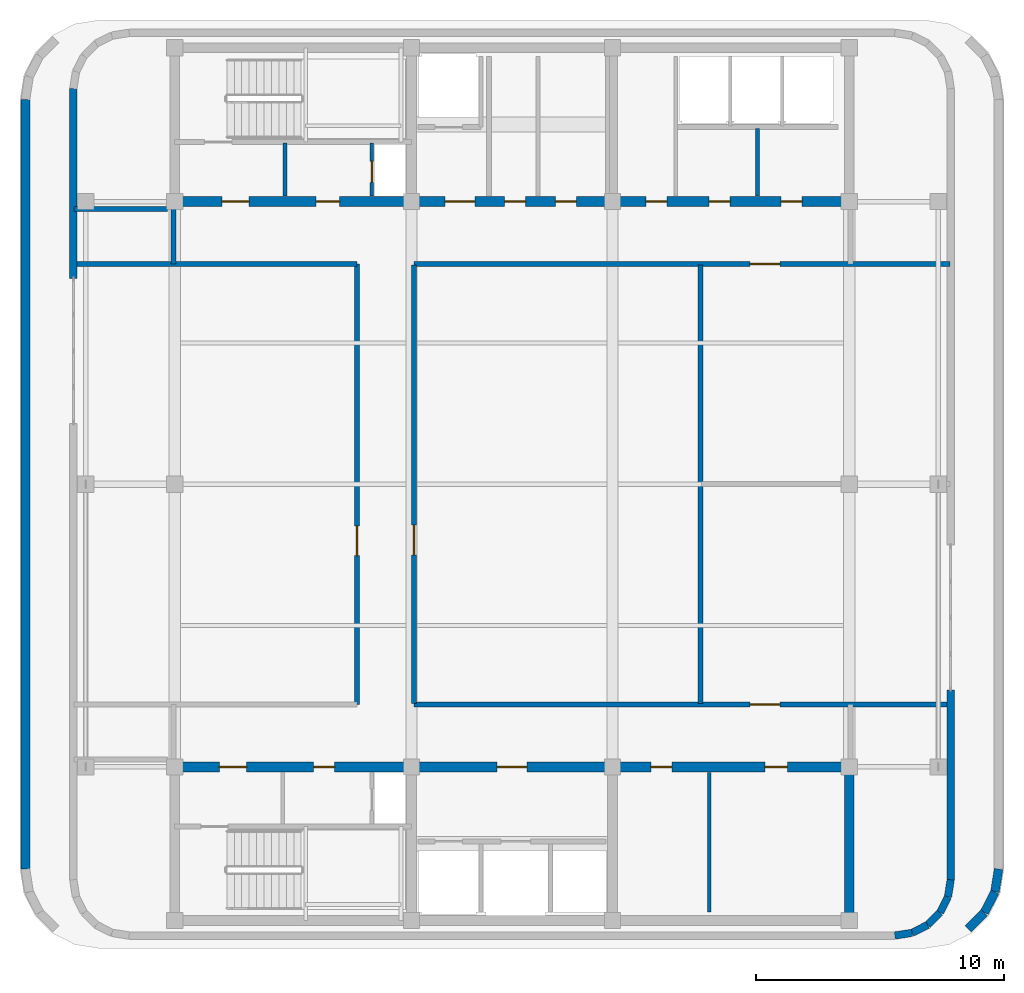
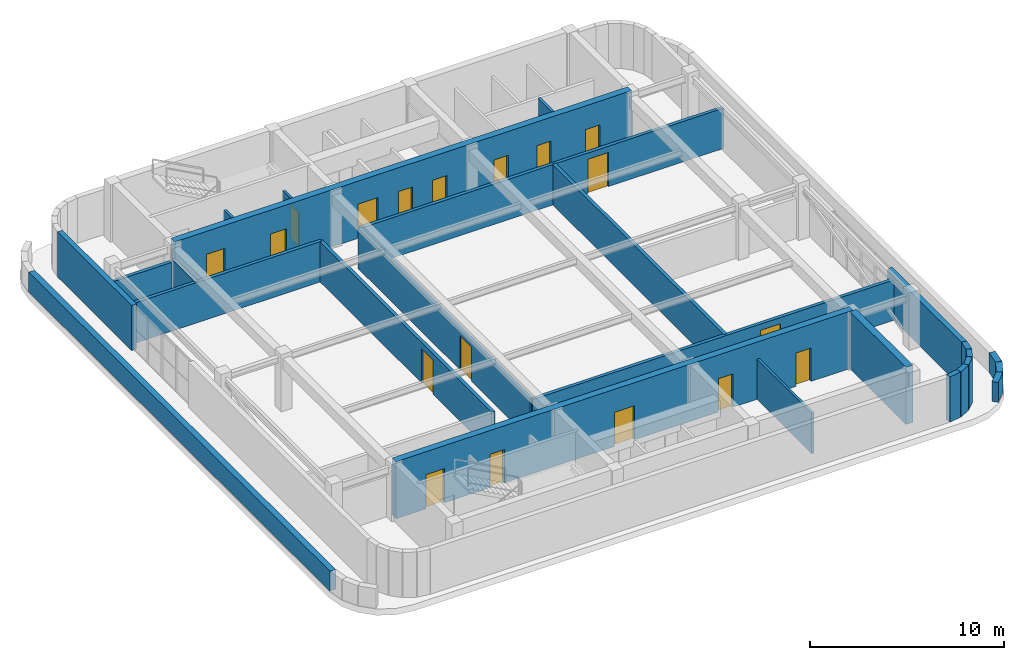
# One storey, part 5 of 9: 26 walls, 18 doors, 18 openings.
"""IFC4 building model written with IfcOpenShell, lengths in metres."""

from ifc_helpers import new_model, si_unit, direction, frame, frame_2d, origin, place, context, subcontext, project, spatial, rectangle, extrude, material, layer, layer_set, type_object, element, fill, save


model = new_model("IFC4")

# Units and contexts
model_context = context("Model", 3, precision=1e-05, world=origin(), true_north=direction((0.0, 1.0)))
body_context = subcontext(model_context, "Body", "Model", "MODEL_VIEW")
ifc_project = project(units=[si_unit("LENGTHUNIT", "METRE"), si_unit("AREAUNIT", "SQUARE_METRE"), si_unit("VOLUMEUNIT", "CUBIC_METRE"), si_unit("PLANEANGLEUNIT", "RADIAN"), si_unit("MASSUNIT", "GRAM", prefix="KILO")], contexts=[model_context])

# Site, building, storey
site_placement = place(None, origin())
site = spatial("IfcSite", under=ifc_project, at=site_placement, CompositionType="ELEMENT")
building_placement = place(site_placement, origin())
building = spatial("IfcBuilding", under=site, at=building_placement, Name="Svetorya Sky Lyceum", CompositionType="ELEMENT")
storey_placement = place(building_placement, frame((0.0, 0.0, 302.0)))
storey = spatial("IfcBuildingStorey", under=building, at=storey_placement, Name="C01", CompositionType="ELEMENT", Elevation=302.0)

# Wall
ifc_material_1 = material(Name="Concrete C40/50", Category="concrete")
ifc_layer_1 = layer(ifc_material_1, 0.39990234375)
ifc_layer_set_1 = layer_set([ifc_layer_1], Name="Concrete C40/50")
wall_type_1 = type_object("IfcWallType", Name="WL-CORE-400", PredefinedType="SHEAR", material=ifc_layer_set_1)
wall_1_placement = place(storey_placement, frame((52.800048828125, 10.800048828125, 0.0), z_axis=(0.0, 0.0, 1.0), x_axis=(0.0, 1.0, 0.0)))
element("IfcWall", 1, at=wall_1_placement, inside=storey, type_object=wall_type_1, Name="C01 SC East Core Shear Wall", PredefinedType="SHEAR", context=body_context, shape_type="SweptSolid", body=[
    extrude(rectangle(XDim=5.800048828125, YDim=0.39990234375, at=frame_2d((2.89990234375, 0.0))), origin(), (0.0, 0.0, 1.0), 3.60009765625),
])

# Wall, openings, doors
wall_2_placement = place(storey_placement, frame((25.60009765625, 16.800048828125, 0.0), z_axis=(0.0, 0.0, 1.0), x_axis=(1.0, 0.0, 0.0)))
wall_2 = element("IfcWall", 2, at=wall_2_placement, inside=storey, type_object=wall_type_1, Name="C01 SC Inner Core Shear Wall", PredefinedType="SHEAR", context=body_context, shape_type="SweptSolid", body=[
    extrude(rectangle(XDim=27.199951171875, YDim=0.39990234375, at=frame_2d((13.60009765625, 0.0))), origin(), (0.0, 0.0, 1.0), 3.60009765625),
])
opening_1_placement = place(wall_2_placement, frame((1.800048828125, 0.0, 0.0)))
opening_1 = element("IfcOpeningElement", 3, at=opening_1_placement, cuts=wall_2, Name="Opening D-ST1", PredefinedType="OPENING", context=body_context, shape_type="SweptSolid", body=[
    extrude(rectangle(XDim=1.10009765625, YDim=2.14990234375, at=frame_2d((0.550048828125, 1.074951171875))), frame((0.0, 0.2099609375, 0.0), z_axis=(0.0, -1.0, 0.0), x_axis=(1.0, 0.0, 0.0)), (0.0, 0.0, 1.0), 0.419921875),
])
opening_2_placement = place(wall_2_placement, frame((5.60009765625, 0.0, 0.0)))
opening_2 = element("IfcOpeningElement", 4, at=opening_2_placement, cuts=wall_2, Name="Opening D-CWC1", PredefinedType="OPENING", context=body_context, shape_type="SweptSolid", body=[
    extrude(rectangle(XDim=0.85009765625, YDim=2.10009765625, at=frame_2d((0.425048828125, 1.050048828125))), frame((0.0, 0.2099609375, 0.0), z_axis=(0.0, -1.0, 0.0), x_axis=(1.0, 0.0, 0.0)), (0.0, 0.0, 1.0), 0.419921875),
])
opening_3_placement = place(wall_2_placement, frame((13.0, 0.0, 0.0)))
opening_3 = element("IfcOpeningElement", 5, at=opening_3_placement, cuts=wall_2, Name="Opening D-FL1", PredefinedType="OPENING", context=body_context, shape_type="SweptSolid", body=[
    extrude(rectangle(XDim=1.199951171875, YDim=2.14990234375, at=frame_2d((0.60009765625, 1.074951171875))), frame((0.0, 0.2099609375, 0.0), z_axis=(0.0, -1.0, 0.0), x_axis=(1.0, 0.0, 0.0)), (0.0, 0.0, 1.0), 0.419921875),
])
opening_4_placement = place(wall_2_placement, frame((19.199951171875, 0.0, 0.0)))
opening_4 = element("IfcOpeningElement", 6, at=opening_4_placement, cuts=wall_2, Name="Opening D-CWC1", PredefinedType="OPENING", context=body_context, shape_type="SweptSolid", body=[
    extrude(rectangle(XDim=0.85009765625, YDim=2.10009765625, at=frame_2d((0.425048828125, 1.050048828125))), frame((0.0, 0.2099609375, 0.0), z_axis=(0.0, -1.0, 0.0), x_axis=(1.0, 0.0, 0.0)), (0.0, 0.0, 1.0), 0.419921875),
])
opening_5_placement = place(wall_2_placement, frame((23.800048828125, 0.0, 0.0)))
opening_5 = element("IfcOpeningElement", 7, at=opening_5_placement, cuts=wall_2, Name="Opening D-RM1", PredefinedType="OPENING", context=body_context, shape_type="SweptSolid", body=[
    extrude(rectangle(XDim=0.89990234375, YDim=2.10009765625, at=frame_2d((0.449951171875, 1.050048828125))), frame((0.0, 0.2099609375, 0.0), z_axis=(0.0, -1.0, 0.0), x_axis=(1.0, 0.0, 0.0)), (0.0, 0.0, 1.0), 0.419921875),
])
ifc_material_2 = material(Name="Fire-rated galvanized steel core service closet door", Category="steel")
door_type_1 = type_object("IfcDoorType", Name="DR-CWET-850", OperationType="SINGLE_SWING_LEFT", PredefinedType="DOOR", material=ifc_material_2)
door_1_placement = place(opening_2_placement, origin())
door_1 = element("IfcDoor", 8, at=door_1_placement, inside=storey, type_object=door_type_1, Name="C01 South Hydrant Room Door", OperationType="SINGLE_SWING_LEFT", OverallHeight=2.10009765625, OverallWidth=0.85009765625, PredefinedType="DOOR", context=body_context, shape_type="SweptSolid", body=[
    extrude(rectangle(XDim=0.85009765625, YDim=2.10009765625, at=frame_2d((0.425048828125, 1.050048828125))), frame((0.0, 0.02490234375, 0.0), z_axis=(0.0, -1.0, 0.0), x_axis=(1.0, 0.0, 0.0)), (0.0, 0.0, 1.0), 0.050048828125),
])
fill(opening_2, door_1)
door_2_placement = place(opening_4_placement, origin())
door_2 = element("IfcDoor", 9, at=door_2_placement, inside=storey, type_object=door_type_1, Name="C01 Laundry Door", OperationType="SINGLE_SWING_RIGHT", OverallHeight=2.10009765625, OverallWidth=0.85009765625, PredefinedType="DOOR", context=body_context, shape_type="SweptSolid", body=[
    extrude(rectangle(XDim=0.85009765625, YDim=2.10009765625, at=frame_2d((0.425048828125, 1.050048828125))), frame((0.0, 0.02490234375, 0.0), z_axis=(0.0, -1.0, 0.0), x_axis=(1.0, 0.0, 0.0)), (0.0, 0.0, 1.0), 0.050048828125),
])
fill(opening_4, door_2)
ifc_material_3 = material(Name="Powder-coated insulated galvanized stair fire door")
door_type_2 = type_object("IfcDoorType", Name="DR-FIRE-1100", OperationType="SINGLE_SWING_LEFT", PredefinedType="DOOR", material=ifc_material_3)
door_3_placement = place(opening_1_placement, origin())
door_3 = element("IfcDoor", 10, at=door_3_placement, inside=storey, type_object=door_type_2, Name="C01 South Stair Airlock Door", OperationType="SINGLE_SWING_RIGHT", OverallHeight=2.14990234375, OverallWidth=1.10009765625, PredefinedType="DOOR", context=body_context, shape_type="SweptSolid", body=[
    extrude(rectangle(XDim=1.10009765625, YDim=2.14990234375, at=frame_2d((0.550048828125, 1.074951171875))), frame((0.0, 0.02490234375, 0.0), z_axis=(0.0, -1.0, 0.0), x_axis=(1.0, 0.0, 0.0)), (0.0, 0.0, 1.0), 0.050048828125),
])
fill(opening_1, door_3)
ifc_material_4 = material(Name="Powder-coated insulated galvanized fire door")
door_type_3 = type_object("IfcDoorType", Name="DR-FIRE-1200", OperationType="SINGLE_SWING_LEFT", PredefinedType="DOOR", material=ifc_material_4)
door_4_placement = place(opening_3_placement, origin())
door_4 = element("IfcDoor", 11, at=door_4_placement, inside=storey, type_object=door_type_3, Name="C01 South Firefighting Lift Lobby Door", OperationType="SINGLE_SWING_LEFT", OverallHeight=2.14990234375, OverallWidth=1.199951171875, PredefinedType="DOOR", context=body_context, shape_type="SweptSolid", body=[
    extrude(rectangle(XDim=1.199951171875, YDim=2.14990234375, at=frame_2d((0.60009765625, 1.074951171875))), frame((0.0, 0.02490234375, 0.0), z_axis=(0.0, -1.0, 0.0), x_axis=(1.0, 0.0, 0.0)), (0.0, 0.0, 1.0), 0.050048828125),
])
fill(opening_3, door_4)
ifc_material_5 = material(Name="Lacquered birch veneer internal door")
door_type_4 = type_object("IfcDoorType", Name="DR-INT-900", OperationType="SINGLE_SWING_LEFT", PredefinedType="DOOR", material=ifc_material_5)
door_5_placement = place(opening_5_placement, origin())
door_5 = element("IfcDoor", 12, at=door_5_placement, inside=storey, type_object=door_type_4, Name="C01 Pantry Door", OperationType="SINGLE_SWING_LEFT", OverallHeight=2.10009765625, OverallWidth=0.89990234375, PredefinedType="DOOR", context=body_context, shape_type="SweptSolid", body=[
    extrude(rectangle(XDim=0.89990234375, YDim=2.10009765625, at=frame_2d((0.449951171875, 1.050048828125))), frame((0.0, 0.02490234375, 0.0), z_axis=(0.0, -1.0, 0.0), x_axis=(1.0, 0.0, 0.0)), (0.0, 0.0, 1.0), 0.050048828125),
])
fill(opening_5, door_5)

wall_3_placement = place(storey_placement, frame((52.800048828125, 39.60009765625, 0.0), z_axis=(0.0, 0.0, 1.0), x_axis=(-1.0, 0.0, 0.0)))
wall_3 = element("IfcWall", 13, at=wall_3_placement, inside=storey, type_object=wall_type_1, Name="C01 NC Inner Core Shear Wall", PredefinedType="SHEAR", context=body_context, shape_type="SweptSolid", body=[
    extrude(rectangle(XDim=27.199951171875, YDim=0.39990234375, at=frame_2d((13.60009765625, 0.0))), origin(), (0.0, 0.0, 1.0), 3.60009765625),
])
opening_6_placement = place(wall_3_placement, frame((24.199951171875, 0.0, 0.0)))
opening_6 = element("IfcOpeningElement", 14, at=opening_6_placement, cuts=wall_3, Name="Opening D-ST1", PredefinedType="OPENING", context=body_context, shape_type="SweptSolid", body=[
    extrude(rectangle(XDim=1.10009765625, YDim=2.14990234375, at=frame_2d((0.550048828125, 1.074951171875))), frame((0.0, 0.2099609375, 0.0), z_axis=(0.0, -1.0, 0.0), x_axis=(1.0, 0.0, 0.0)), (0.0, 0.0, 1.0), 0.419921875),
])
opening_7_placement = place(wall_3_placement, frame((20.550048828125, 0.0, 0.0)))
opening_7 = element("IfcOpeningElement", 15, at=opening_7_placement, cuts=wall_3, Name="Opening D-CAC1", PredefinedType="OPENING", context=body_context, shape_type="SweptSolid", body=[
    extrude(rectangle(XDim=0.949951171875, YDim=2.10009765625, at=frame_2d((0.47509765625, 1.050048828125))), frame((0.0, 0.2099609375, 0.0), z_axis=(0.0, -1.0, 0.0), x_axis=(1.0, 0.0, 0.0)), (0.0, 0.0, 1.0), 0.419921875),
])
opening_8_placement = place(wall_3_placement, frame((15.10009765625, 0.0, 0.0)))
opening_8 = element("IfcOpeningElement", 16, at=opening_8_placement, cuts=wall_3, Name="Opening D-FL1", PredefinedType="OPENING", context=body_context, shape_type="SweptSolid", body=[
    extrude(rectangle(XDim=1.199951171875, YDim=2.14990234375, at=frame_2d((0.60009765625, 1.074951171875))), frame((0.0, 0.2099609375, 0.0), z_axis=(0.0, -1.0, 0.0), x_axis=(1.0, 0.0, 0.0)), (0.0, 0.0, 1.0), 0.419921875),
])
opening_9_placement = place(wall_3_placement, frame((13.050048828125, 0.0, 0.0)))
opening_9 = element("IfcOpeningElement", 17, at=opening_9_placement, cuts=wall_3, Name="Opening D-CWC1", PredefinedType="OPENING", context=body_context, shape_type="SweptSolid", body=[
    extrude(rectangle(XDim=0.85009765625, YDim=2.10009765625, at=frame_2d((0.425048828125, 1.050048828125))), frame((0.0, 0.2099609375, 0.0), z_axis=(0.0, -1.0, 0.0), x_axis=(1.0, 0.0, 0.0)), (0.0, 0.0, 1.0), 0.419921875),
])
opening_10_placement = place(wall_3_placement, frame((11.0, 0.0, 0.0)))
opening_10 = element("IfcOpeningElement", 18, at=opening_10_placement, cuts=wall_3, Name="Opening D-CWC1", PredefinedType="OPENING", context=body_context, shape_type="SweptSolid", body=[
    extrude(rectangle(XDim=0.85009765625, YDim=2.10009765625, at=frame_2d((0.425048828125, 1.050048828125))), frame((0.0, 0.2099609375, 0.0), z_axis=(0.0, -1.0, 0.0), x_axis=(1.0, 0.0, 0.0)), (0.0, 0.0, 1.0), 0.419921875),
])
opening_11_placement = place(wall_3_placement, frame((7.35009765625, 0.0, 0.0)))
opening_11 = element("IfcOpeningElement", 19, at=opening_11_placement, cuts=wall_3, Name="Opening D-CWC1", PredefinedType="OPENING", context=body_context, shape_type="SweptSolid", body=[
    extrude(rectangle(XDim=0.85009765625, YDim=2.10009765625, at=frame_2d((0.425048828125, 1.050048828125))), frame((0.0, 0.2099609375, 0.0), z_axis=(0.0, -1.0, 0.0), x_axis=(1.0, 0.0, 0.0)), (0.0, 0.0, 1.0), 0.419921875),
])
opening_12_placement = place(wall_3_placement, frame((4.800048828125, 0.0, 0.0)))
opening_12 = element("IfcOpeningElement", 20, at=opening_12_placement, cuts=wall_3, Name="Opening D-CWC1", PredefinedType="OPENING", context=body_context, shape_type="SweptSolid", body=[
    extrude(rectangle(XDim=0.85009765625, YDim=2.10009765625, at=frame_2d((0.425048828125, 1.050048828125))), frame((0.0, 0.2099609375, 0.0), z_axis=(0.0, -1.0, 0.0), x_axis=(1.0, 0.0, 0.0)), (0.0, 0.0, 1.0), 0.419921875),
])
opening_13_placement = place(wall_3_placement, frame((1.89990234375, 0.0, 0.0)))
opening_13 = element("IfcOpeningElement", 21, at=opening_13_placement, cuts=wall_3, Name="Opening D-CWC1", PredefinedType="OPENING", context=body_context, shape_type="SweptSolid", body=[
    extrude(rectangle(XDim=0.85009765625, YDim=2.10009765625, at=frame_2d((0.425048828125, 1.050048828125))), frame((0.0, 0.2099609375, 0.0), z_axis=(0.0, -1.0, 0.0), x_axis=(1.0, 0.0, 0.0)), (0.0, 0.0, 1.0), 0.419921875),
])
ifc_material_6 = material(Name="Fire-rated galvanized steel core accessible WC door", Category="steel")
door_type_5 = type_object("IfcDoorType", Name="DR-CACC-950", OperationType="SINGLE_SWING_LEFT", PredefinedType="DOOR", material=ifc_material_6)
door_6_placement = place(opening_7_placement, origin())
door_6 = element("IfcDoor", 22, at=door_6_placement, inside=storey, type_object=door_type_5, Name="C01 North Core Accessible WC Door", OperationType="SINGLE_SWING_RIGHT", OverallHeight=2.10009765625, OverallWidth=0.949951171875, PredefinedType="DOOR", context=body_context, shape_type="SweptSolid", body=[
    extrude(rectangle(XDim=0.949951171875, YDim=2.10009765625, at=frame_2d((0.47509765625, 1.050048828125))), frame((0.0, 0.02490234375, 0.0), z_axis=(0.0, -1.0, 0.0), x_axis=(1.0, 0.0, 0.0)), (0.0, 0.0, 1.0), 0.050048828125),
])
fill(opening_7, door_6)
door_7_placement = place(opening_9_placement, origin())
door_7 = element("IfcDoor", 23, at=door_7_placement, inside=storey, type_object=door_type_1, Name="C01 Upper Linen Door", OperationType="SINGLE_SWING_LEFT", OverallHeight=2.10009765625, OverallWidth=0.85009765625, PredefinedType="DOOR", context=body_context, shape_type="SweptSolid", body=[
    extrude(rectangle(XDim=0.85009765625, YDim=2.10009765625, at=frame_2d((0.425048828125, 1.050048828125))), frame((0.0, 0.02490234375, 0.0), z_axis=(0.0, -1.0, 0.0), x_axis=(1.0, 0.0, 0.0)), (0.0, 0.0, 1.0), 0.050048828125),
])
fill(opening_9, door_7)
door_8_placement = place(opening_10_placement, origin())
door_8 = element("IfcDoor", 24, at=door_8_placement, inside=storey, type_object=door_type_1, Name="C01 Upper Laundry Door", OperationType="SINGLE_SWING_RIGHT", OverallHeight=2.10009765625, OverallWidth=0.85009765625, PredefinedType="DOOR", context=body_context, shape_type="SweptSolid", body=[
    extrude(rectangle(XDim=0.85009765625, YDim=2.10009765625, at=frame_2d((0.425048828125, 1.050048828125))), frame((0.0, 0.02490234375, 0.0), z_axis=(0.0, -1.0, 0.0), x_axis=(1.0, 0.0, 0.0)), (0.0, 0.0, 1.0), 0.050048828125),
])
fill(opening_10, door_8)
door_9_placement = place(opening_11_placement, origin())
door_9 = element("IfcDoor", 25, at=door_9_placement, inside=storey, type_object=door_type_1, Name="C01 High-Zone Utility Room Door", OperationType="SINGLE_SWING_LEFT", OverallHeight=2.10009765625, OverallWidth=0.85009765625, PredefinedType="DOOR", context=body_context, shape_type="SweptSolid", body=[
    extrude(rectangle(XDim=0.85009765625, YDim=2.10009765625, at=frame_2d((0.425048828125, 1.050048828125))), frame((0.0, 0.02490234375, 0.0), z_axis=(0.0, -1.0, 0.0), x_axis=(1.0, 0.0, 0.0)), (0.0, 0.0, 1.0), 0.050048828125),
])
fill(opening_11, door_9)
door_10_placement = place(opening_12_placement, origin())
door_10 = element("IfcDoor", 26, at=door_10_placement, inside=storey, type_object=door_type_1, Name="C01 North Pantry Door", OperationType="SINGLE_SWING_LEFT", OverallHeight=2.10009765625, OverallWidth=0.85009765625, PredefinedType="DOOR", context=body_context, shape_type="SweptSolid", body=[
    extrude(rectangle(XDim=0.85009765625, YDim=2.10009765625, at=frame_2d((0.425048828125, 1.050048828125))), frame((0.0, 0.02490234375, 0.0), z_axis=(0.0, -1.0, 0.0), x_axis=(1.0, 0.0, 0.0)), (0.0, 0.0, 1.0), 0.050048828125),
])
fill(opening_12, door_10)
door_11_placement = place(opening_13_placement, origin())
door_11 = element("IfcDoor", 27, at=door_11_placement, inside=storey, type_object=door_type_1, Name="C01 North Laundry Door", OperationType="SINGLE_SWING_RIGHT", OverallHeight=2.10009765625, OverallWidth=0.85009765625, PredefinedType="DOOR", context=body_context, shape_type="SweptSolid", body=[
    extrude(rectangle(XDim=0.85009765625, YDim=2.10009765625, at=frame_2d((0.425048828125, 1.050048828125))), frame((0.0, 0.02490234375, 0.0), z_axis=(0.0, -1.0, 0.0), x_axis=(1.0, 0.0, 0.0)), (0.0, 0.0, 1.0), 0.050048828125),
])
fill(opening_13, door_11)
door_12_placement = place(opening_6_placement, origin())
door_12 = element("IfcDoor", 28, at=door_12_placement, inside=storey, type_object=door_type_2, Name="C01 North Stair Airlock Door", OperationType="SINGLE_SWING_LEFT", OverallHeight=2.14990234375, OverallWidth=1.10009765625, PredefinedType="DOOR", context=body_context, shape_type="SweptSolid", body=[
    extrude(rectangle(XDim=1.10009765625, YDim=2.14990234375, at=frame_2d((0.550048828125, 1.074951171875))), frame((0.0, 0.02490234375, 0.0), z_axis=(0.0, -1.0, 0.0), x_axis=(1.0, 0.0, 0.0)), (0.0, 0.0, 1.0), 0.050048828125),
])
fill(opening_6, door_12)
door_13_placement = place(opening_8_placement, origin())
door_13 = element("IfcDoor", 29, at=door_13_placement, inside=storey, type_object=door_type_3, Name="C01 North Firefighting Lift Lobby Door", OperationType="SINGLE_SWING_RIGHT", OverallHeight=2.14990234375, OverallWidth=1.199951171875, PredefinedType="DOOR", context=body_context, shape_type="SweptSolid", body=[
    extrude(rectangle(XDim=1.199951171875, YDim=2.14990234375, at=frame_2d((0.60009765625, 1.074951171875))), frame((0.0, 0.02490234375, 0.0), z_axis=(0.0, -1.0, 0.0), x_axis=(1.0, 0.0, 0.0)), (0.0, 0.0, 1.0), 0.050048828125),
])
fill(opening_8, door_13)

# Walls
ifc_material_7 = material(Name="Putilovo limestone rainscreen on autoclaved cellular masonry", Category="masonry")
ifc_layer_2 = layer(ifc_material_7, 0.300048828125)
ifc_layer_set_2 = layer_set([ifc_layer_2], Name="Putilovo limestone rainscreen on autoclaved cellular masonry")
wall_type_2 = type_object("IfcWallType", Name="WL-EXT-300", PredefinedType="SOLIDWALL", material=ifc_layer_set_2)
for number, where, z_axis, x_axis, name in (
    (30, (54.639892578125, 10.0, 0.0), (0.0, 0.0, 1.0), (0.987692567255, 0.156407776626, 0.0), "C01 Limestone Exterior Wall 7M"),
    (31, (55.335205078125, 10.110107421875, 0.0), (0.0, 0.0, 1.0), (0.891002438725, 0.453998517824, 0.0), "C01 Limestone Exterior Wall 8M"),
):
    element("IfcWall", number, at=place(storey_placement, frame(where, z_axis=z_axis, x_axis=x_axis)), inside=storey, type_object=wall_type_2, Name=name, PredefinedType="SOLIDWALL", context=body_context, shape_type="SweptSolid", body=[
        extrude(rectangle(XDim=0.703857421875, YDim=0.300048828125, at=frame_2d((0.35205078125, 0.0))), origin(), (0.0, 0.0, 1.0), 2.840087890625),
    ])
wall_4_placement = place(storey_placement, frame((55.96240234375, 10.4296875, 0.0), z_axis=(0.0, 0.0, 1.0), x_axis=(0.707106781187, 0.707106781187, 0.0)))
element("IfcWall", 32, at=wall_4_placement, inside=storey, type_object=wall_type_2, Name="C01 Limestone Exterior Wall 9M", PredefinedType="SOLIDWALL", context=body_context, shape_type="SweptSolid", body=[
    extrude(rectangle(XDim=0.7041015625, YDim=0.300048828125, at=frame_2d((0.35205078125, 0.0))), origin(), (0.0, 0.0, 1.0), 2.840087890625),
])
for number, where, z_axis, x_axis, name in (
    (33, (56.460205078125, 10.927490234375, 0.0), (0.0, 0.0, 1.0), (0.453998517824, 0.891002438725, 0.0), "C01 Limestone Exterior Wall 10M"),
    (34, (56.77978515625, 11.5546875, 0.0), (0.0, 0.0, 1.0), (0.156407776626, 0.987692567255, 0.0), "C01 Limestone Exterior Wall 11M"),
):
    element("IfcWall", number, at=place(storey_placement, frame(where, z_axis=z_axis, x_axis=x_axis)), inside=storey, type_object=wall_type_2, Name=name, PredefinedType="SOLIDWALL", context=body_context, shape_type="SweptSolid", body=[
        extrude(rectangle(XDim=0.703857421875, YDim=0.300048828125, at=frame_2d((0.35205078125, 0.0))), origin(), (0.0, 0.0, 1.0), 2.840087890625),
    ])
for number, where, z_axis, x_axis, name in (
    (35, (56.889892578125, 12.25, 0.0), (0.0, 0.0, 1.0), (0.0, 1.0, 0.0), "C01 Limestone Exterior Wall 12A"),
    (36, (21.510009765625, 44.14990234375, 0.0), (0.0, 0.0, 1.0), (0.0, -1.0, 0.0), "C01 Limestone Exterior Wall 24A"),
):
    element("IfcWall", number, at=place(storey_placement, frame(where, z_axis=z_axis, x_axis=x_axis)), inside=storey, type_object=wall_type_2, Name=name, PredefinedType="SOLIDWALL", context=body_context, shape_type="SweptSolid", body=[
        extrude(rectangle(XDim=7.64990234375, YDim=0.300048828125, at=frame_2d((3.824951171875, 0.0))), origin(), (0.0, 0.0, 1.0), 2.840087890625),
    ])
ifc_layer_3 = layer(ifc_material_1, 0.35009765625)
ifc_layer_set_3 = layer_set([ifc_layer_3], Name="Concrete C40/50")
wall_type_3 = type_object("IfcWallType", Name="WL-KERB-350", PredefinedType="PARAPET", material=ifc_layer_set_3)
wall_5_placement = place(storey_placement, frame((57.591552734375, 10.26904296875, 0.0), z_axis=(0.0, 0.0, 1.0), x_axis=(0.707106781187, 0.707106781187, 0.0)))
element("IfcWall", 37, at=wall_5_placement, inside=storey, type_object=wall_type_3, Name="C01 Setback Parapet Wall 9", PredefinedType="PARAPET", context=body_context, shape_type="SweptSolid", body=[
    extrude(rectangle(XDim=0.9326171875, YDim=0.35009765625, at=frame_2d((0.46630859375, 0.0))), origin(), (0.0, 0.0, 1.0), 1.25),
])
wall_6_placement = place(storey_placement, frame((58.2509765625, 10.928466796875, 0.0), z_axis=(0.0, 0.0, 1.0), x_axis=(0.453906163271, 0.891049490738, 0.0)))
element("IfcWall", 38, at=wall_6_placement, inside=storey, type_object=wall_type_3, Name="C01 Setback Parapet Wall 10", PredefinedType="PARAPET", context=body_context, shape_type="SweptSolid", body=[
    extrude(rectangle(XDim=0.93212890625, YDim=0.35009765625, at=frame_2d((0.466064453125, 0.0))), origin(), (0.0, 0.0, 1.0), 1.25),
])
wall_7_placement = place(storey_placement, frame((58.674072265625, 11.759033203125, 0.0), z_axis=(0.0, 0.0, 1.0), x_axis=(0.156581054338, 0.98766511198, 0.0)))
element("IfcWall", 39, at=wall_7_placement, inside=storey, type_object=wall_type_3, Name="C01 Setback Parapet Wall 11", PredefinedType="PARAPET", context=body_context, shape_type="SweptSolid", body=[
    extrude(rectangle(XDim=0.932373046875, YDim=0.35009765625, at=frame_2d((0.46630859375, 0.0))), origin(), (0.0, 0.0, 1.0), 1.25),
])
wall_8_placement = place(storey_placement, frame((19.580078125, 43.719970703125, 0.0), z_axis=(0.0, 0.0, 1.0), x_axis=(0.0, -1.0, 0.0)))
element("IfcWall", 40, at=wall_8_placement, inside=storey, type_object=wall_type_3, Name="C01 Setback Parapet Wall 24", PredefinedType="PARAPET", context=body_context, shape_type="SweptSolid", body=[
    extrude(rectangle(XDim=31.0400390625, YDim=0.35009765625, at=frame_2d((15.52001953125, 0.0))), origin(), (0.0, 0.0, 1.0), 1.25),
])
ifc_material_8 = material(Name="Autoclaved cellular masonry blockwork with acoustic render", Category="masonry")
ifc_layer_4 = layer(ifc_material_8, 0.14990234375)
ifc_layer_set_4 = layer_set([ifc_layer_4], Name="Autoclaved cellular masonry blockwork with acoustic render")
wall_type_4 = type_object("IfcWallType", Name="WL-PART-150", PredefinedType="PARTITIONING", material=ifc_layer_set_4)
wall_9_placement = place(storey_placement, frame((47.14990234375, 10.949951171875, 0.0), z_axis=(0.0, 0.0, 1.0), x_axis=(0.0, 1.0, 0.0)))
element("IfcWall", 41, at=wall_9_placement, inside=storey, type_object=wall_type_4, Name="C01 Interior Partition SC-LV7-VA", PredefinedType="PARTITIONING", context=body_context, shape_type="SweptSolid", body=[
    extrude(rectangle(XDim=5.630126953125, YDim=0.14990234375, at=frame_2d((2.81494140625, 0.0))), origin(), (0.0, 0.0, 1.0), 2.5400390625),
])

# Wall, opening, door
wall_10_placement = place(storey_placement, frame((33.550048828125, 39.820068359375, 0.0), z_axis=(0.0, 0.0, 1.0), x_axis=(0.0, 1.0, 0.0)))
wall_10 = element("IfcWall", 42, at=wall_10_placement, inside=storey, type_object=wall_type_4, Name="C01 Interior Partition NC-RSRW", PredefinedType="PARTITIONING", context=body_context, shape_type="SweptSolid", body=[
    extrude(rectangle(XDim=2.1298828125, YDim=0.14990234375, at=frame_2d((1.06494140625, 0.0))), origin(), (0.0, 0.0, 1.0), 2.5400390625),
])
opening_14_placement = place(wall_10_placement, frame((0.550048828125, 0.0, 0.0)))
opening_14 = element("IfcOpeningElement", 43, at=opening_14_placement, cuts=wall_10, Name="Opening D-SH1", PredefinedType="OPENING", context=body_context, shape_type="SweptSolid", body=[
    extrude(rectangle(XDim=0.85009765625, YDim=2.050048828125, at=frame_2d((0.425048828125, 1.02490234375))), frame((0.0, 0.0849609375, 0.0), z_axis=(0.0, -1.0, 0.0), x_axis=(1.0, 0.0, 0.0)), (0.0, 0.0, 1.0), 0.169921875),
])
ifc_material_9 = material(Name="Insulated galvanized riser inspection fire door")
door_type_6 = type_object("IfcDoorType", Name="DR-SHFT-850", OperationType="SINGLE_SWING_LEFT", PredefinedType="TRAPDOOR", material=ifc_material_9)
door_14_placement = place(opening_14_placement, origin())
door_14 = element("IfcDoor", 44, at=door_14_placement, inside=storey, type_object=door_type_6, Name="C01 North Riser Access Door", OperationType="SINGLE_SWING_LEFT", OverallHeight=2.050048828125, OverallWidth=0.85009765625, PredefinedType="TRAPDOOR", context=body_context, shape_type="SweptSolid", body=[
    extrude(rectangle(XDim=0.85009765625, YDim=2.050048828125, at=frame_2d((0.425048828125, 1.02490234375))), frame((0.0, 0.02490234375, 0.0), z_axis=(0.0, -1.0, 0.0), x_axis=(1.0, 0.0, 0.0)), (0.0, 0.0, 1.0), 0.050048828125),
])
fill(opening_14, door_14)

# Walls
wall_11_placement = place(storey_placement, frame((30.050048828125, 39.820068359375, 0.0), z_axis=(0.0, 0.0, 1.0), x_axis=(0.0, 1.0, 0.0)))
element("IfcWall", 45, at=wall_11_placement, inside=storey, type_object=wall_type_4, Name="C01 Interior Partition NC-NWD1", PredefinedType="PARTITIONING", context=body_context, shape_type="SweptSolid", body=[
    extrude(rectangle(XDim=2.1298828125, YDim=0.14990234375, at=frame_2d((1.06494140625, 0.0))), origin(), (0.0, 0.0, 1.0), 2.5400390625),
])
wall_12_placement = place(storey_placement, frame((49.10009765625, 39.820068359375, 0.0), z_axis=(0.0, 0.0, 1.0), x_axis=(0.0, 1.0, 0.0)))
element("IfcWall", 46, at=wall_12_placement, inside=storey, type_object=wall_type_4, Name="C01 Interior Partition NC-EDH", PredefinedType="PARTITIONING", context=body_context, shape_type="SweptSolid", body=[
    extrude(rectangle(XDim=2.72998046875, YDim=0.14990234375, at=frame_2d((1.364990234375, 0.0))), origin(), (0.0, 0.0, 1.0), 2.5400390625),
])
ifc_material_10 = material(Name="Autoclaved cellular masonry blockwork with gypsum plaster", Category="masonry")
ifc_layer_5 = layer(ifc_material_10, 0.199951171875)
ifc_layer_set_5 = layer_set([ifc_layer_5], Name="Autoclaved cellular masonry blockwork with gypsum plaster")
wall_type_5 = type_object("IfcWallType", Name="WL-PART-200", PredefinedType="PARTITIONING", material=ifc_layer_set_5)
wall_13_placement = place(storey_placement, frame((21.530029296875, 37.080078125, 0.0), z_axis=(0.0, 0.0, 1.0), x_axis=(1.0, 0.0, 0.0)))
element("IfcWall", 47, at=wall_13_placement, inside=storey, type_object=wall_type_5, Name="C01 Interior Partition PL-NW", PredefinedType="PARTITIONING", context=body_context, shape_type="SweptSolid", body=[
    extrude(rectangle(XDim=11.419921875, YDim=0.199951171875, at=frame_2d((5.7099609375, 0.0))), origin(), (0.0, 0.0, 1.0), 2.5400390625),
])

# Wall, opening, door
wall_14_placement = place(storey_placement, frame((32.949951171875, 19.320068359375, 0.0), z_axis=(0.0, 0.0, 1.0), x_axis=(0.0, 1.0, 0.0)))
wall_14 = element("IfcWall", 48, at=wall_14_placement, inside=storey, type_object=wall_type_5, Name="C01 Interior Partition PL-W1", PredefinedType="PARTITIONING", context=body_context, shape_type="SweptSolid", body=[
    extrude(rectangle(XDim=17.760009765625, YDim=0.199951171875, at=frame_2d((8.8798828125, 0.0))), origin(), (0.0, 0.0, 1.0), 2.5400390625),
])
opening_15_placement = place(wall_14_placement, frame((6.0, 0.0, 0.0)))
opening_15 = element("IfcOpeningElement", 49, at=opening_15_placement, cuts=wall_14, Name="Opening D-FL1", PredefinedType="OPENING", context=body_context, shape_type="SweptSolid", body=[
    extrude(rectangle(XDim=1.199951171875, YDim=2.14990234375, at=frame_2d((0.60009765625, 1.074951171875))), frame((0.0, 0.10986328125, 0.0), z_axis=(0.0, -1.0, 0.0), x_axis=(1.0, 0.0, 0.0)), (0.0, 0.0, 1.0), 0.219970703125),
])
door_15_placement = place(opening_15_placement, origin())
door_15 = element("IfcDoor", 50, at=door_15_placement, inside=storey, type_object=door_type_3, Name="C01 West Plant Door", OperationType="SINGLE_SWING_LEFT", OverallHeight=2.14990234375, OverallWidth=1.199951171875, PredefinedType="DOOR", context=body_context, shape_type="SweptSolid", body=[
    extrude(rectangle(XDim=1.199951171875, YDim=2.14990234375, at=frame_2d((0.60009765625, 1.074951171875))), frame((0.0, 0.02490234375, 0.0), z_axis=(0.0, -1.0, 0.0), x_axis=(1.0, 0.0, 0.0)), (0.0, 0.0, 1.0), 0.050048828125),
])
fill(opening_15, door_15)

wall_15_placement = place(storey_placement, frame((35.25, 19.35009765625, 0.0), z_axis=(0.0, 0.0, 1.0), x_axis=(0.0, 1.0, 0.0)))
wall_15 = element("IfcWall", 51, at=wall_15_placement, inside=storey, type_object=wall_type_5, Name="C01 Interior Partition PL-W2", PredefinedType="PARTITIONING", context=body_context, shape_type="SweptSolid", body=[
    extrude(rectangle(XDim=17.699951171875, YDim=0.199951171875, at=frame_2d((8.85009765625, 0.0))), origin(), (0.0, 0.0, 1.0), 2.5400390625),
])
opening_16_placement = place(wall_15_placement, frame((6.0, 0.0, 0.0)))
opening_16 = element("IfcOpeningElement", 52, at=opening_16_placement, cuts=wall_15, Name="Opening D-FL1", PredefinedType="OPENING", context=body_context, shape_type="SweptSolid", body=[
    extrude(rectangle(XDim=1.199951171875, YDim=2.14990234375, at=frame_2d((0.60009765625, 1.074951171875))), frame((0.0, 0.10986328125, 0.0), z_axis=(0.0, -1.0, 0.0), x_axis=(1.0, 0.0, 0.0)), (0.0, 0.0, 1.0), 0.219970703125),
])
door_16_placement = place(opening_16_placement, origin())
door_16 = element("IfcDoor", 53, at=door_16_placement, inside=storey, type_object=door_type_3, Name="C01 Central Plant Door", OperationType="SINGLE_SWING_RIGHT", OverallHeight=2.14990234375, OverallWidth=1.199951171875, PredefinedType="DOOR", context=body_context, shape_type="SweptSolid", body=[
    extrude(rectangle(XDim=1.199951171875, YDim=2.14990234375, at=frame_2d((0.60009765625, 1.074951171875))), frame((0.0, 0.02490234375, 0.0), z_axis=(0.0, -1.0, 0.0), x_axis=(1.0, 0.0, 0.0)), (0.0, 0.0, 1.0), 0.050048828125),
])
fill(opening_16, door_16)

# Wall
wall_16_placement = place(storey_placement, frame((46.800048828125, 19.35009765625, 0.0), z_axis=(0.0, 0.0, 1.0), x_axis=(0.0, 1.0, 0.0)))
element("IfcWall", 54, at=wall_16_placement, inside=storey, type_object=wall_type_5, Name="C01 Interior Partition PL-W3", PredefinedType="PARTITIONING", context=body_context, shape_type="SweptSolid", body=[
    extrude(rectangle(XDim=17.699951171875, YDim=0.199951171875, at=frame_2d((8.85009765625, 0.0))), origin(), (0.0, 0.0, 1.0), 2.5400390625),
])

# Wall, opening, door
wall_17_placement = place(storey_placement, frame((35.25, 19.320068359375, 0.0), z_axis=(0.0, 0.0, 1.0), x_axis=(1.0, 0.0, 0.0)))
wall_17 = element("IfcWall", 55, at=wall_17_placement, inside=storey, type_object=wall_type_5, Name="C01 Interior Partition PL-S", PredefinedType="PARTITIONING", context=body_context, shape_type="SweptSolid", body=[
    extrude(rectangle(XDim=21.6201171875, YDim=0.199951171875, at=frame_2d((10.81005859375, 0.0))), origin(), (0.0, 0.0, 1.0), 2.5400390625),
])
opening_17_placement = place(wall_17_placement, frame((13.550048828125, 0.0, 0.0)))
opening_17 = element("IfcOpeningElement", 56, at=opening_17_placement, cuts=wall_17, Name="Opening D-FL1", PredefinedType="OPENING", context=body_context, shape_type="SweptSolid", body=[
    extrude(rectangle(XDim=1.199951171875, YDim=2.14990234375, at=frame_2d((0.60009765625, 1.074951171875))), frame((0.0, 0.10986328125, 0.0), z_axis=(0.0, -1.0, 0.0), x_axis=(1.0, 0.0, 0.0)), (0.0, 0.0, 1.0), 0.219970703125),
])
door_17_placement = place(opening_17_placement, origin())
door_17 = element("IfcDoor", 57, at=door_17_placement, inside=storey, type_object=door_type_3, Name="C01 South-East Plant Door", OperationType="SINGLE_SWING_LEFT", OverallHeight=2.14990234375, OverallWidth=1.199951171875, PredefinedType="DOOR", context=body_context, shape_type="SweptSolid", body=[
    extrude(rectangle(XDim=1.199951171875, YDim=2.14990234375, at=frame_2d((0.60009765625, 1.074951171875))), frame((0.0, 0.02490234375, 0.0), z_axis=(0.0, -1.0, 0.0), x_axis=(1.0, 0.0, 0.0)), (0.0, 0.0, 1.0), 0.050048828125),
])
fill(opening_17, door_17)

wall_18_placement = place(storey_placement, frame((56.8701171875, 37.080078125, 0.0), z_axis=(0.0, 0.0, 1.0), x_axis=(-1.0, 0.0, 0.0)))
wall_18 = element("IfcWall", 58, at=wall_18_placement, inside=storey, type_object=wall_type_5, Name="C01 Interior Partition PL-N", PredefinedType="PARTITIONING", context=body_context, shape_type="SweptSolid", body=[
    extrude(rectangle(XDim=21.6201171875, YDim=0.199951171875, at=frame_2d((10.81005859375, 0.0))), origin(), (0.0, 0.0, 1.0), 2.5400390625),
])
opening_18_placement = place(wall_18_placement, frame((6.8701171875, 0.0, 0.0)))
opening_18 = element("IfcOpeningElement", 59, at=opening_18_placement, cuts=wall_18, Name="Opening D-FL1", PredefinedType="OPENING", context=body_context, shape_type="SweptSolid", body=[
    extrude(rectangle(XDim=1.199951171875, YDim=2.14990234375, at=frame_2d((0.60009765625, 1.074951171875))), frame((0.0, 0.10986328125, 0.0), z_axis=(0.0, -1.0, 0.0), x_axis=(1.0, 0.0, 0.0)), (0.0, 0.0, 1.0), 0.219970703125),
])
door_18_placement = place(opening_18_placement, origin())
door_18 = element("IfcDoor", 60, at=door_18_placement, inside=storey, type_object=door_type_3, Name="C01 North-East Plant Door", OperationType="SINGLE_SWING_RIGHT", OverallHeight=2.14990234375, OverallWidth=1.199951171875, PredefinedType="DOOR", context=body_context, shape_type="SweptSolid", body=[
    extrude(rectangle(XDim=1.199951171875, YDim=2.14990234375, at=frame_2d((0.60009765625, 1.074951171875))), frame((0.0, 0.02490234375, 0.0), z_axis=(0.0, -1.0, 0.0), x_axis=(1.0, 0.0, 0.0)), (0.0, 0.0, 1.0), 0.050048828125),
])
fill(opening_18, door_18)

# Walls
wall_19_placement = place(storey_placement, frame((25.550048828125, 37.080078125, 0.0), z_axis=(0.0, 0.0, 1.0), x_axis=(0.0, 1.0, 0.0)))
element("IfcWall", 61, at=wall_19_placement, inside=storey, type_object=wall_type_5, Name="C01 Interior Partition PL-NW-END", PredefinedType="PARTITIONING", context=body_context, shape_type="SweptSolid", body=[
    extrude(rectangle(XDim=2.369873046875, YDim=0.199951171875, at=frame_2d((1.18505859375, 0.0))), origin(), (0.0, 0.0, 1.0), 2.5400390625),
])
wall_20_placement = place(storey_placement, frame((21.530029296875, 39.300048828125, 0.0), z_axis=(0.0, 0.0, 1.0), x_axis=(1.0, 0.0, 0.0)))
element("IfcWall", 62, at=wall_20_placement, inside=storey, type_object=wall_type_5, Name="C01 Interior Partition PL-WN-CAP", PredefinedType="PARTITIONING", context=body_context, shape_type="SweptSolid", body=[
    extrude(rectangle(XDim=3.77001953125, YDim=0.199951171875, at=frame_2d((1.885009765625, 0.0))), origin(), (0.0, 0.0, 1.0), 2.5400390625),
])

save(model, "model.ifc")
